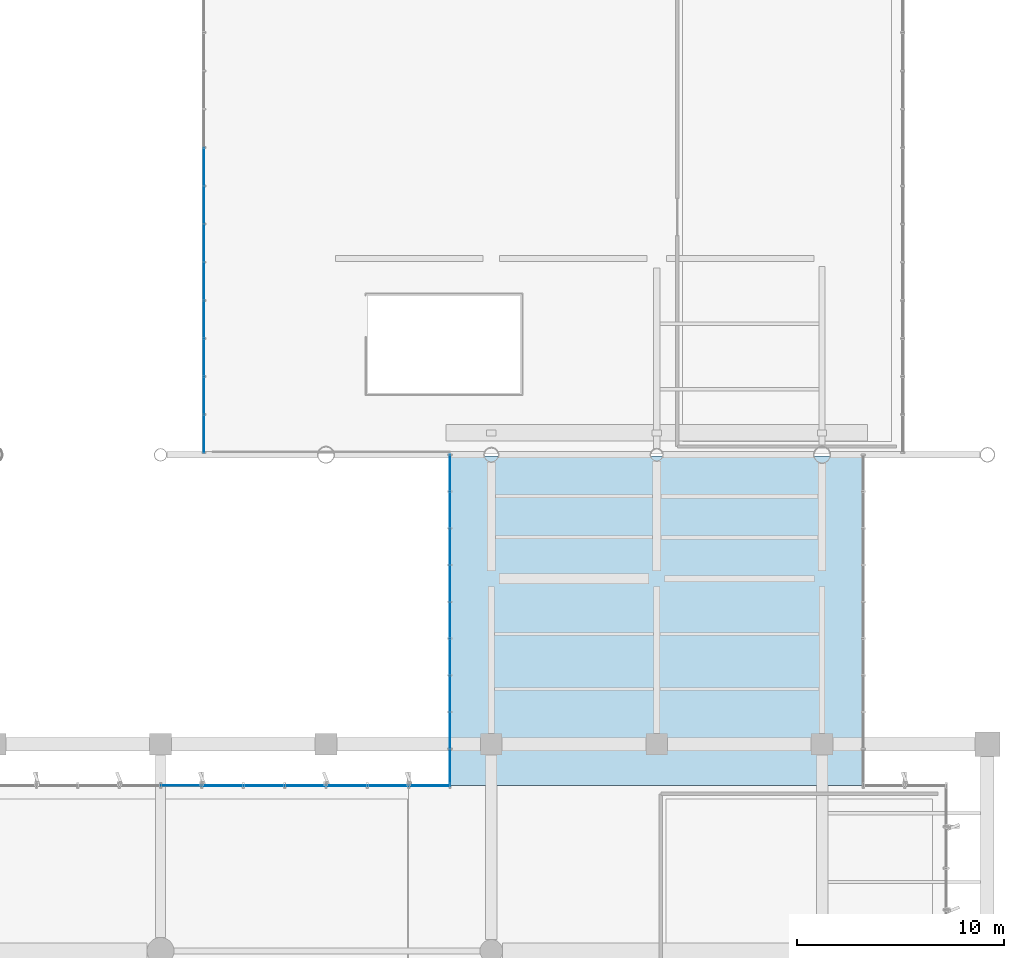
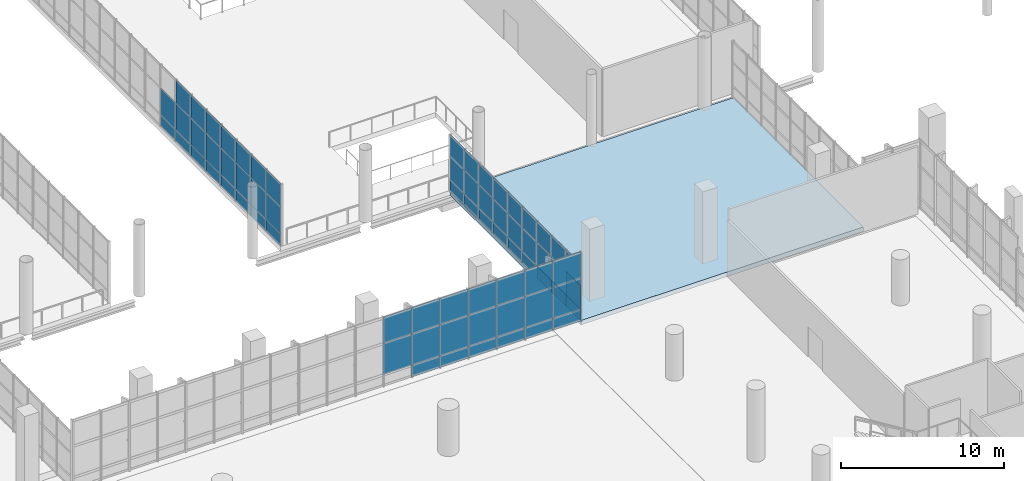
# One storey, part 126 of 176: 70 plates, 1 slab, 5 elements without a shape of their own.
"""IFC4 building model written with IfcOpenShell, lengths in metres."""

from ifc_helpers import new_model, si_unit, direction, frame, origin, origin_2d, place, context, subcontext, project, spatial, polyline, rectangle, outline, extrude, material, layer, layer_set, type_object, element, aggregate, save


model = new_model("IFC4")

# Units and contexts
model_context = context("Model", 3, precision=1e-05, world=origin(), true_north=direction((0.0, 1.0)))
body_context = subcontext(model_context, "Body", "Model", "MODEL_VIEW")
ifc_project = project(units=[si_unit("LENGTHUNIT", "METRE"), si_unit("AREAUNIT", "SQUARE_METRE"), si_unit("VOLUMEUNIT", "CUBIC_METRE"), si_unit("PLANEANGLEUNIT", "RADIAN"), si_unit("MASSUNIT", "GRAM", prefix="KILO")], contexts=[model_context])

# Site, building, storey
site_placement = place(None, origin())
site = spatial("IfcSite", under=ifc_project, at=site_placement, CompositionType="ELEMENT")
building_placement = place(site_placement, origin())
building = spatial("IfcBuilding", under=site, at=building_placement, Name="Khorjan Park Terminus", CompositionType="ELEMENT")
storey_placement = place(building_placement, frame((0.0, 0.0, 6.0)))
storey = spatial("IfcBuildingStorey", under=building, at=storey_placement, Name="L01", CompositionType="ELEMENT", Elevation=6.0)

# Curtain wall, plates
ifc_material_1 = material(Name="Anodized Bronze Aluminium", Category="aluminium")
ifc_layer_1 = layer(ifc_material_1, 0.22)
ifc_layer_set_1 = layer_set([ifc_layer_1], Name="Anodized Bronze Aluminium")
curtain_wall_type_1 = type_object("IfcCurtainWallType", Name="CW-BRG-D", PredefinedType="NOTDEFINED", material=ifc_layer_set_1)
curtain_wall_1_placement = place(storey_placement, origin())
curtain_wall_1 = element("IfcCurtainWall", 1, at=curtain_wall_1_placement, inside=storey, type_object=curtain_wall_type_1, Name="Unitized curtain wall CW-D (CW-NKE-W-L01)", PredefinedType="NOTDEFINED")
ifc_material_2 = material(Name="Low-E Solar Control Double Glazing", Category="glass")
ifc_layer_2 = layer(ifc_material_2, 0.032)
ifc_layer_set_2 = layer_set([ifc_layer_2], Name="Low-E Solar Control Double Glazing")
plate_type_1 = type_object("IfcPlateType", Name="GL-VIS-32", PredefinedType="CURTAIN_PANEL", material=ifc_layer_set_2)
plate_1_placement = place(storey_placement, frame((110.0, 101.1111, 0.85), z_axis=(0.0, 0.0, 1.0), x_axis=(0.0, -1.0, 0.0)))
plate_1 = element("IfcPlate", 2, at=plate_1_placement, type_object=plate_type_1, Name="Curtain-wall panel VP-32 (CW-NKE-W-L01-0-2)", PredefinedType="CURTAIN_PANEL", context=body_context, shape_type="SweptSolid", body=[
    extrude(rectangle(XDim=1.7778, YDim=0.032, at=origin_2d()), origin(), (0.0, 0.0, 1.0), 1.7695),
])
plate_2_placement = place(storey_placement, frame((110.0, 101.1111, 2.6196), z_axis=(0.0, 0.0, 1.0), x_axis=(0.0, -1.0, 0.0)))
plate_2 = element("IfcPlate", 3, at=plate_2_placement, type_object=plate_type_1, Name="Curtain-wall panel VP-32 (CW-NKE-W-L01-0-3)", PredefinedType="CURTAIN_PANEL", context=body_context, shape_type="SweptSolid", body=[
    extrude(rectangle(XDim=1.7778, YDim=0.032, at=origin_2d()), origin(), (0.0, 0.0, 1.0), 1.6155),
])
plate_3_placement = place(storey_placement, frame((110.0, 99.3333, 0.85), z_axis=(0.0, 0.0, 1.0), x_axis=(0.0, -1.0, 0.0)))
plate_3 = element("IfcPlate", 4, at=plate_3_placement, type_object=plate_type_1, Name="Curtain-wall panel VP-32 (CW-NKE-W-L01-1-2)", PredefinedType="CURTAIN_PANEL", context=body_context, shape_type="SweptSolid", body=[
    extrude(rectangle(XDim=1.7778, YDim=0.032, at=origin_2d()), origin(), (0.0, 0.0, 1.0), 1.7695),
])
plate_4_placement = place(storey_placement, frame((110.0, 99.3333, 2.6196), z_axis=(0.0, 0.0, 1.0), x_axis=(0.0, -1.0, 0.0)))
plate_4 = element("IfcPlate", 5, at=plate_4_placement, type_object=plate_type_1, Name="Curtain-wall panel VP-32 (CW-NKE-W-L01-1-3)", PredefinedType="CURTAIN_PANEL", context=body_context, shape_type="SweptSolid", body=[
    extrude(rectangle(XDim=1.7778, YDim=0.032, at=origin_2d()), origin(), (0.0, 0.0, 1.0), 1.6155),
])
plate_5_placement = place(storey_placement, frame((110.0, 97.5556, 0.85), z_axis=(0.0, 0.0, 1.0), x_axis=(0.0, -1.0, 0.0)))
plate_5 = element("IfcPlate", 6, at=plate_5_placement, type_object=plate_type_1, Name="Curtain-wall panel VP-32 (CW-NKE-W-L01-2-2)", PredefinedType="CURTAIN_PANEL", context=body_context, shape_type="SweptSolid", body=[
    extrude(rectangle(XDim=1.7778, YDim=0.032, at=origin_2d()), origin(), (0.0, 0.0, 1.0), 1.7695),
])
plate_6_placement = place(storey_placement, frame((110.0, 97.5556, 2.6196), z_axis=(0.0, 0.0, 1.0), x_axis=(0.0, -1.0, 0.0)))
plate_6 = element("IfcPlate", 7, at=plate_6_placement, type_object=plate_type_1, Name="Curtain-wall panel VP-32 (CW-NKE-W-L01-2-3)", PredefinedType="CURTAIN_PANEL", context=body_context, shape_type="SweptSolid", body=[
    extrude(rectangle(XDim=1.7778, YDim=0.032, at=origin_2d()), origin(), (0.0, 0.0, 1.0), 1.6155),
])
plate_7_placement = place(storey_placement, frame((110.0, 95.7778, 0.85), z_axis=(0.0, 0.0, 1.0), x_axis=(0.0, -1.0, 0.0)))
plate_7 = element("IfcPlate", 8, at=plate_7_placement, type_object=plate_type_1, Name="Curtain-wall panel VP-32 (CW-NKE-W-L01-3-2)", PredefinedType="CURTAIN_PANEL", context=body_context, shape_type="SweptSolid", body=[
    extrude(rectangle(XDim=1.7778, YDim=0.032, at=origin_2d()), origin(), (0.0, 0.0, 1.0), 1.7695),
])
plate_8_placement = place(storey_placement, frame((110.0, 95.7778, 2.6196), z_axis=(0.0, 0.0, 1.0), x_axis=(0.0, -1.0, 0.0)))
plate_8 = element("IfcPlate", 9, at=plate_8_placement, type_object=plate_type_1, Name="Curtain-wall panel VP-32 (CW-NKE-W-L01-3-3)", PredefinedType="CURTAIN_PANEL", context=body_context, shape_type="SweptSolid", body=[
    extrude(rectangle(XDim=1.7778, YDim=0.032, at=origin_2d()), origin(), (0.0, 0.0, 1.0), 1.6155),
])
plate_9_placement = place(storey_placement, frame((110.0, 94.0, 0.85), z_axis=(0.0, 0.0, 1.0), x_axis=(0.0, -1.0, 0.0)))
plate_9 = element("IfcPlate", 10, at=plate_9_placement, type_object=plate_type_1, Name="Curtain-wall panel VP-32 (CW-NKE-W-L01-4-2)", PredefinedType="CURTAIN_PANEL", context=body_context, shape_type="SweptSolid", body=[
    extrude(rectangle(XDim=1.7778, YDim=0.032, at=origin_2d()), origin(), (0.0, 0.0, 1.0), 1.7695),
])
plate_10_placement = place(storey_placement, frame((110.0, 94.0, 2.6196), z_axis=(0.0, 0.0, 1.0), x_axis=(0.0, -1.0, 0.0)))
plate_10 = element("IfcPlate", 11, at=plate_10_placement, type_object=plate_type_1, Name="Curtain-wall panel VP-32 (CW-NKE-W-L01-4-3)", PredefinedType="CURTAIN_PANEL", context=body_context, shape_type="SweptSolid", body=[
    extrude(rectangle(XDim=1.7778, YDim=0.032, at=origin_2d()), origin(), (0.0, 0.0, 1.0), 1.6155),
])
plate_11_placement = place(storey_placement, frame((110.0, 92.2222, 0.85), z_axis=(0.0, 0.0, 1.0), x_axis=(0.0, -1.0, 0.0)))
plate_11 = element("IfcPlate", 12, at=plate_11_placement, type_object=plate_type_1, Name="Curtain-wall panel VP-32 (CW-NKE-W-L01-5-2)", PredefinedType="CURTAIN_PANEL", context=body_context, shape_type="SweptSolid", body=[
    extrude(rectangle(XDim=1.7778, YDim=0.032, at=origin_2d()), origin(), (0.0, 0.0, 1.0), 1.7695),
])
plate_12_placement = place(storey_placement, frame((110.0, 92.2222, 2.6196), z_axis=(0.0, 0.0, 1.0), x_axis=(0.0, -1.0, 0.0)))
plate_12 = element("IfcPlate", 13, at=plate_12_placement, type_object=plate_type_1, Name="Curtain-wall panel VP-32 (CW-NKE-W-L01-5-3)", PredefinedType="CURTAIN_PANEL", context=body_context, shape_type="SweptSolid", body=[
    extrude(rectangle(XDim=1.7778, YDim=0.032, at=origin_2d()), origin(), (0.0, 0.0, 1.0), 1.6155),
])
plate_13_placement = place(storey_placement, frame((110.0, 90.4444, 0.85), z_axis=(0.0, 0.0, 1.0), x_axis=(0.0, -1.0, 0.0)))
plate_13 = element("IfcPlate", 14, at=plate_13_placement, type_object=plate_type_1, Name="Curtain-wall panel VP-32 (CW-NKE-W-L01-6-2)", PredefinedType="CURTAIN_PANEL", context=body_context, shape_type="SweptSolid", body=[
    extrude(rectangle(XDim=1.7778, YDim=0.032, at=origin_2d()), origin(), (0.0, 0.0, 1.0), 1.7695),
])
plate_14_placement = place(storey_placement, frame((110.0, 90.4444, 2.6196), z_axis=(0.0, 0.0, 1.0), x_axis=(0.0, -1.0, 0.0)))
plate_14 = element("IfcPlate", 15, at=plate_14_placement, type_object=plate_type_1, Name="Curtain-wall panel VP-32 (CW-NKE-W-L01-6-3)", PredefinedType="CURTAIN_PANEL", context=body_context, shape_type="SweptSolid", body=[
    extrude(rectangle(XDim=1.7778, YDim=0.032, at=origin_2d()), origin(), (0.0, 0.0, 1.0), 1.6155),
])
plate_15_placement = place(storey_placement, frame((110.0, 88.6667, 0.85), z_axis=(0.0, 0.0, 1.0), x_axis=(0.0, -1.0, 0.0)))
plate_15 = element("IfcPlate", 16, at=plate_15_placement, type_object=plate_type_1, Name="Curtain-wall panel VP-32 (CW-NKE-W-L01-7-2)", PredefinedType="CURTAIN_PANEL", context=body_context, shape_type="SweptSolid", body=[
    extrude(rectangle(XDim=1.7778, YDim=0.032, at=origin_2d()), origin(), (0.0, 0.0, 1.0), 1.7695),
])
plate_16_placement = place(storey_placement, frame((110.0, 88.6667, 2.6196), z_axis=(0.0, 0.0, 1.0), x_axis=(0.0, -1.0, 0.0)))
plate_16 = element("IfcPlate", 17, at=plate_16_placement, type_object=plate_type_1, Name="Curtain-wall panel VP-32 (CW-NKE-W-L01-7-3)", PredefinedType="CURTAIN_PANEL", context=body_context, shape_type="SweptSolid", body=[
    extrude(rectangle(XDim=1.7778, YDim=0.032, at=origin_2d()), origin(), (0.0, 0.0, 1.0), 1.6155),
])
plate_17_placement = place(storey_placement, frame((110.0, 86.8889, 0.85), z_axis=(0.0, 0.0, 1.0), x_axis=(0.0, -1.0, 0.0)))
plate_17 = element("IfcPlate", 18, at=plate_17_placement, type_object=plate_type_1, Name="Curtain-wall panel VP-32 (CW-NKE-W-L01-8-2)", PredefinedType="CURTAIN_PANEL", context=body_context, shape_type="SweptSolid", body=[
    extrude(rectangle(XDim=1.7778, YDim=0.032, at=origin_2d()), origin(), (0.0, 0.0, 1.0), 1.7695),
])
plate_18_placement = place(storey_placement, frame((110.0, 86.8889, 2.6196), z_axis=(0.0, 0.0, 1.0), x_axis=(0.0, -1.0, 0.0)))
plate_18 = element("IfcPlate", 19, at=plate_18_placement, type_object=plate_type_1, Name="Curtain-wall panel VP-32 (CW-NKE-W-L01-8-3)", PredefinedType="CURTAIN_PANEL", context=body_context, shape_type="SweptSolid", body=[
    extrude(rectangle(XDim=1.7778, YDim=0.032, at=origin_2d()), origin(), (0.0, 0.0, 1.0), 1.6155),
])

curtain_wall_2_placement = place(storey_placement, origin())
curtain_wall_2 = element("IfcCurtainWall", 20, at=curtain_wall_2_placement, inside=storey, type_object=curtain_wall_type_1, Name="Unitized curtain wall CW-D (CW-BRE-W-1)", PredefinedType="NOTDEFINED")
plate_19_placement = place(storey_placement, frame((98.1, 114.0786, 0.85), z_axis=(0.0, 0.0, 1.0), x_axis=(0.0, -1.0, 0.0)))
plate_19 = element("IfcPlate", 21, at=plate_19_placement, type_object=plate_type_1, Name="Curtain-wall panel VP-32 (CW-BRE-W-1-0-2)", PredefinedType="CURTAIN_PANEL", context=body_context, shape_type="SweptSolid", body=[
    extrude(rectangle(XDim=1.8429, YDim=0.032, at=origin_2d()), origin(), (0.0, 0.0, 1.0), 2.002),
])
plate_20_placement = place(storey_placement, frame((98.1, 114.0786, 2.852), z_axis=(0.0, 0.0, 1.0), x_axis=(0.0, -1.0, 0.0)))
plate_20 = element("IfcPlate", 22, at=plate_20_placement, type_object=plate_type_1, Name="Curtain-wall panel VP-32 (CW-BRE-W-1-0-3)", PredefinedType="CURTAIN_PANEL", context=body_context, shape_type="SweptSolid", body=[
    extrude(rectangle(XDim=1.8429, YDim=0.032, at=origin_2d()), origin(), (0.0, 0.0, 1.0), 1.758),
])
plate_21_placement = place(storey_placement, frame((98.1, 112.2357, 0.85), z_axis=(0.0, 0.0, 1.0), x_axis=(0.0, -1.0, 0.0)))
plate_21 = element("IfcPlate", 23, at=plate_21_placement, type_object=plate_type_1, Name="Curtain-wall panel VP-32 (CW-BRE-W-1-1-2)", PredefinedType="CURTAIN_PANEL", context=body_context, shape_type="SweptSolid", body=[
    extrude(rectangle(XDim=1.8429, YDim=0.032, at=origin_2d()), origin(), (0.0, 0.0, 1.0), 2.002),
])
plate_22_placement = place(storey_placement, frame((98.1, 112.2357, 2.852), z_axis=(0.0, 0.0, 1.0), x_axis=(0.0, -1.0, 0.0)))
plate_22 = element("IfcPlate", 24, at=plate_22_placement, type_object=plate_type_1, Name="Curtain-wall panel VP-32 (CW-BRE-W-1-1-3)", PredefinedType="CURTAIN_PANEL", context=body_context, shape_type="SweptSolid", body=[
    extrude(rectangle(XDim=1.8429, YDim=0.032, at=origin_2d()), origin(), (0.0, 0.0, 1.0), 1.758),
])
plate_23_placement = place(storey_placement, frame((98.1, 110.3929, 0.85), z_axis=(0.0, 0.0, 1.0), x_axis=(0.0, -1.0, 0.0)))
plate_23 = element("IfcPlate", 25, at=plate_23_placement, type_object=plate_type_1, Name="Curtain-wall panel VP-32 (CW-BRE-W-1-2-2)", PredefinedType="CURTAIN_PANEL", context=body_context, shape_type="SweptSolid", body=[
    extrude(rectangle(XDim=1.8429, YDim=0.032, at=origin_2d()), origin(), (0.0, 0.0, 1.0), 2.002),
])
plate_24_placement = place(storey_placement, frame((98.1, 110.3929, 2.852), z_axis=(0.0, 0.0, 1.0), x_axis=(0.0, -1.0, 0.0)))
plate_24 = element("IfcPlate", 26, at=plate_24_placement, type_object=plate_type_1, Name="Curtain-wall panel VP-32 (CW-BRE-W-1-2-3)", PredefinedType="CURTAIN_PANEL", context=body_context, shape_type="SweptSolid", body=[
    extrude(rectangle(XDim=1.8429, YDim=0.032, at=origin_2d()), origin(), (0.0, 0.0, 1.0), 1.758),
])
plate_25_placement = place(storey_placement, frame((98.1, 108.55, 0.85), z_axis=(0.0, 0.0, 1.0), x_axis=(0.0, -1.0, 0.0)))
plate_25 = element("IfcPlate", 27, at=plate_25_placement, type_object=plate_type_1, Name="Curtain-wall panel VP-32 (CW-BRE-W-1-3-2)", PredefinedType="CURTAIN_PANEL", context=body_context, shape_type="SweptSolid", body=[
    extrude(rectangle(XDim=1.8429, YDim=0.032, at=origin_2d()), origin(), (0.0, 0.0, 1.0), 2.002),
])
plate_26_placement = place(storey_placement, frame((98.1, 108.55, 2.852), z_axis=(0.0, 0.0, 1.0), x_axis=(0.0, -1.0, 0.0)))
plate_26 = element("IfcPlate", 28, at=plate_26_placement, type_object=plate_type_1, Name="Curtain-wall panel VP-32 (CW-BRE-W-1-3-3)", PredefinedType="CURTAIN_PANEL", context=body_context, shape_type="SweptSolid", body=[
    extrude(rectangle(XDim=1.8429, YDim=0.032, at=origin_2d()), origin(), (0.0, 0.0, 1.0), 1.758),
])
plate_27_placement = place(storey_placement, frame((98.1, 106.7072, 0.85), z_axis=(0.0, 0.0, 1.0), x_axis=(0.0, -1.0, 0.0)))
plate_27 = element("IfcPlate", 29, at=plate_27_placement, type_object=plate_type_1, Name="Curtain-wall panel VP-32 (CW-BRE-W-1-4-2)", PredefinedType="CURTAIN_PANEL", context=body_context, shape_type="SweptSolid", body=[
    extrude(rectangle(XDim=1.8429, YDim=0.032, at=origin_2d()), origin(), (0.0, 0.0, 1.0), 2.002),
])
plate_28_placement = place(storey_placement, frame((98.1, 106.7072, 2.852), z_axis=(0.0, 0.0, 1.0), x_axis=(0.0, -1.0, 0.0)))
plate_28 = element("IfcPlate", 30, at=plate_28_placement, type_object=plate_type_1, Name="Curtain-wall panel VP-32 (CW-BRE-W-1-4-3)", PredefinedType="CURTAIN_PANEL", context=body_context, shape_type="SweptSolid", body=[
    extrude(rectangle(XDim=1.8429, YDim=0.032, at=origin_2d()), origin(), (0.0, 0.0, 1.0), 1.758),
])
plate_29_placement = place(storey_placement, frame((98.1, 104.8643, 0.85), z_axis=(0.0, 0.0, 1.0), x_axis=(0.0, -1.0, 0.0)))
plate_29 = element("IfcPlate", 31, at=plate_29_placement, type_object=plate_type_1, Name="Curtain-wall panel VP-32 (CW-BRE-W-1-5-2)", PredefinedType="CURTAIN_PANEL", context=body_context, shape_type="SweptSolid", body=[
    extrude(rectangle(XDim=1.8429, YDim=0.032, at=origin_2d()), origin(), (0.0, 0.0, 1.0), 2.002),
])
plate_30_placement = place(storey_placement, frame((98.1, 104.8643, 2.852), z_axis=(0.0, 0.0, 1.0), x_axis=(0.0, -1.0, 0.0)))
plate_30 = element("IfcPlate", 32, at=plate_30_placement, type_object=plate_type_1, Name="Curtain-wall panel VP-32 (CW-BRE-W-1-5-3)", PredefinedType="CURTAIN_PANEL", context=body_context, shape_type="SweptSolid", body=[
    extrude(rectangle(XDim=1.8429, YDim=0.032, at=origin_2d()), origin(), (0.0, 0.0, 1.0), 1.758),
])
plate_31_placement = place(storey_placement, frame((98.1, 103.0214, 0.85), z_axis=(0.0, 0.0, 1.0), x_axis=(0.0, -1.0, 0.0)))
plate_31 = element("IfcPlate", 33, at=plate_31_placement, type_object=plate_type_1, Name="Curtain-wall panel VP-32 (CW-BRE-W-1-6-2)", PredefinedType="CURTAIN_PANEL", context=body_context, shape_type="SweptSolid", body=[
    extrude(rectangle(XDim=1.8429, YDim=0.032, at=origin_2d()), origin(), (0.0, 0.0, 1.0), 2.002),
])
plate_32_placement = place(storey_placement, frame((98.1, 103.0214, 2.852), z_axis=(0.0, 0.0, 1.0), x_axis=(0.0, -1.0, 0.0)))
plate_32 = element("IfcPlate", 34, at=plate_32_placement, type_object=plate_type_1, Name="Curtain-wall panel VP-32 (CW-BRE-W-1-6-3)", PredefinedType="CURTAIN_PANEL", context=body_context, shape_type="SweptSolid", body=[
    extrude(rectangle(XDim=1.8429, YDim=0.032, at=origin_2d()), origin(), (0.0, 0.0, 1.0), 1.758),
])

# Curtain wall, plate
curtain_wall_3_placement = place(storey_placement, origin())
curtain_wall_3 = element("IfcCurtainWall", 35, at=curtain_wall_3_placement, inside=storey, type_object=curtain_wall_type_1, Name="Unitized curtain wall CW-D (CW-BRE-W-2)", PredefinedType="NOTDEFINED")
plate_33_placement = place(storey_placement, frame((98.1, 115.9286, 0.85), z_axis=(0.0, 0.0, 1.0), x_axis=(0.0, -1.0, 0.0)))
plate_33 = element("IfcPlate", 36, at=plate_33_placement, type_object=plate_type_1, Name="Curtain-wall panel VP-32 (CW-BRE-W-2-6-2)", PredefinedType="CURTAIN_PANEL", context=body_context, shape_type="SweptSolid", body=[
    extrude(rectangle(XDim=1.8571, YDim=0.032, at=origin_2d()), origin(), (0.0, 0.0, 1.0), 2.002),
])

# Curtain wall, plates
ifc_layer_3 = layer(ifc_material_1, 0.22)
ifc_layer_set_3 = layer_set([ifc_layer_3], Name="Anodized Bronze Aluminium")
curtain_wall_type_2 = type_object("IfcCurtainWallType", Name="CW-CONC-A", PredefinedType="NOTDEFINED", material=ifc_layer_set_3)
curtain_wall_4_placement = place(storey_placement, origin())
curtain_wall_4 = element("IfcCurtainWall", 37, at=curtain_wall_4_placement, inside=storey, type_object=curtain_wall_type_2, Name="Unitized curtain wall CW-A (CW-V2-N-L01-05)", PredefinedType="NOTDEFINED")
ifc_material_3 = material(Name="Triple Low-E High-Selectivity Glazing", Category="glass")
ifc_layer_4 = layer(ifc_material_3, 0.04)
ifc_layer_set_4 = layer_set([ifc_layer_4], Name="Triple Low-E High-Selectivity Glazing")
plate_type_2 = type_object("IfcPlateType", Name="GL-VIS-40", PredefinedType="CURTAIN_PANEL", material=ifc_layer_set_4)
plate_34_placement = place(storey_placement, frame((99.0, 86.0, 0.85), z_axis=(0.0, 0.0, 1.0), x_axis=(-1.0, 0.0, 0.0)))
plate_34 = element("IfcPlate", 38, at=plate_34_placement, type_object=plate_type_2, Name="Curtain-wall panel VP-40 (CW-V2-N-L01-05-0-2)", PredefinedType="CURTAIN_PANEL", context=body_context, shape_type="SweptSolid", body=[
    extrude(rectangle(XDim=2.0, YDim=0.04, at=origin_2d()), origin(), (0.0, 0.0, 1.0), 2.343),
])
plate_35_placement = place(storey_placement, frame((99.0, 86.0, 3.193), z_axis=(0.0, 0.0, 1.0), x_axis=(-1.0, 0.0, 0.0)))
plate_35 = element("IfcPlate", 39, at=plate_35_placement, type_object=plate_type_2, Name="Curtain-wall panel VP-40 (CW-V2-N-L01-05-0-3)", PredefinedType="CURTAIN_PANEL", context=body_context, shape_type="SweptSolid", body=[
    extrude(rectangle(XDim=2.0, YDim=0.04, at=origin_2d()), origin(), (0.0, 0.0, 1.0), 1.967),
])
plate_36_placement = place(storey_placement, frame((97.0, 86.0, 0.85), z_axis=(0.0, 0.0, 1.0), x_axis=(-1.0, 0.0, 0.0)))
plate_36 = element("IfcPlate", 40, at=plate_36_placement, type_object=plate_type_2, Name="Curtain-wall panel VP-40 (CW-V2-N-L01-05-1-2)", PredefinedType="CURTAIN_PANEL", context=body_context, shape_type="SweptSolid", body=[
    extrude(rectangle(XDim=2.0, YDim=0.04, at=origin_2d()), origin(), (0.0, 0.0, 1.0), 2.343),
])
plate_37_placement = place(storey_placement, frame((97.0, 86.0, 3.193), z_axis=(0.0, 0.0, 1.0), x_axis=(-1.0, 0.0, 0.0)))
plate_37 = element("IfcPlate", 41, at=plate_37_placement, type_object=plate_type_2, Name="Curtain-wall panel VP-40 (CW-V2-N-L01-05-1-3)", PredefinedType="CURTAIN_PANEL", context=body_context, shape_type="SweptSolid", body=[
    extrude(rectangle(XDim=2.0, YDim=0.04, at=origin_2d()), origin(), (0.0, 0.0, 1.0), 1.967),
])

curtain_wall_5_placement = place(storey_placement, origin())
curtain_wall_5 = element("IfcCurtainWall", 42, at=curtain_wall_5_placement, inside=storey, type_object=curtain_wall_type_2, Name="Unitized curtain wall CW-A (CW-V2-N-L01-06)", PredefinedType="NOTDEFINED")
plate_38_placement = place(storey_placement, frame((109.0, 86.0, 0.85), z_axis=(0.0, 0.0, 1.0), x_axis=(-1.0, 0.0, 0.0)))
plate_38 = element("IfcPlate", 43, at=plate_38_placement, type_object=plate_type_2, Name="Curtain-wall panel VP-40 (CW-V2-N-L01-06-0-2)", PredefinedType="CURTAIN_PANEL", context=body_context, shape_type="SweptSolid", body=[
    extrude(rectangle(XDim=2.0, YDim=0.04, at=origin_2d()), origin(), (0.0, 0.0, 1.0), 2.343),
])
plate_39_placement = place(storey_placement, frame((109.0, 86.0, 3.193), z_axis=(0.0, 0.0, 1.0), x_axis=(-1.0, 0.0, 0.0)))
plate_39 = element("IfcPlate", 44, at=plate_39_placement, type_object=plate_type_2, Name="Curtain-wall panel VP-40 (CW-V2-N-L01-06-0-3)", PredefinedType="CURTAIN_PANEL", context=body_context, shape_type="SweptSolid", body=[
    extrude(rectangle(XDim=2.0, YDim=0.04, at=origin_2d()), origin(), (0.0, 0.0, 1.0), 1.967),
])
plate_40_placement = place(storey_placement, frame((107.0, 86.0, 0.85), z_axis=(0.0, 0.0, 1.0), x_axis=(-1.0, 0.0, 0.0)))
plate_40 = element("IfcPlate", 45, at=plate_40_placement, type_object=plate_type_2, Name="Curtain-wall panel VP-40 (CW-V2-N-L01-06-1-2)", PredefinedType="CURTAIN_PANEL", context=body_context, shape_type="SweptSolid", body=[
    extrude(rectangle(XDim=2.0, YDim=0.04, at=origin_2d()), origin(), (0.0, 0.0, 1.0), 2.343),
])
plate_41_placement = place(storey_placement, frame((107.0, 86.0, 3.193), z_axis=(0.0, 0.0, 1.0), x_axis=(-1.0, 0.0, 0.0)))
plate_41 = element("IfcPlate", 46, at=plate_41_placement, type_object=plate_type_2, Name="Curtain-wall panel VP-40 (CW-V2-N-L01-06-1-3)", PredefinedType="CURTAIN_PANEL", context=body_context, shape_type="SweptSolid", body=[
    extrude(rectangle(XDim=2.0, YDim=0.04, at=origin_2d()), origin(), (0.0, 0.0, 1.0), 1.967),
])
plate_42_placement = place(storey_placement, frame((105.0, 86.0, 0.85), z_axis=(0.0, 0.0, 1.0), x_axis=(-1.0, 0.0, 0.0)))
plate_42 = element("IfcPlate", 47, at=plate_42_placement, type_object=plate_type_2, Name="Curtain-wall panel VP-40 (CW-V2-N-L01-06-2-2)", PredefinedType="CURTAIN_PANEL", context=body_context, shape_type="SweptSolid", body=[
    extrude(rectangle(XDim=2.0, YDim=0.04, at=origin_2d()), origin(), (0.0, 0.0, 1.0), 2.343),
])
plate_43_placement = place(storey_placement, frame((105.0, 86.0, 3.193), z_axis=(0.0, 0.0, 1.0), x_axis=(-1.0, 0.0, 0.0)))
plate_43 = element("IfcPlate", 48, at=plate_43_placement, type_object=plate_type_2, Name="Curtain-wall panel VP-40 (CW-V2-N-L01-06-2-3)", PredefinedType="CURTAIN_PANEL", context=body_context, shape_type="SweptSolid", body=[
    extrude(rectangle(XDim=2.0, YDim=0.04, at=origin_2d()), origin(), (0.0, 0.0, 1.0), 1.967),
])
plate_44_placement = place(storey_placement, frame((103.0, 86.0, 0.85), z_axis=(0.0, 0.0, 1.0), x_axis=(-1.0, 0.0, 0.0)))
plate_44 = element("IfcPlate", 49, at=plate_44_placement, type_object=plate_type_2, Name="Curtain-wall panel VP-40 (CW-V2-N-L01-06-3-2)", PredefinedType="CURTAIN_PANEL", context=body_context, shape_type="SweptSolid", body=[
    extrude(rectangle(XDim=2.0, YDim=0.04, at=origin_2d()), origin(), (0.0, 0.0, 1.0), 2.343),
])
plate_45_placement = place(storey_placement, frame((103.0, 86.0, 3.193), z_axis=(0.0, 0.0, 1.0), x_axis=(-1.0, 0.0, 0.0)))
plate_45 = element("IfcPlate", 50, at=plate_45_placement, type_object=plate_type_2, Name="Curtain-wall panel VP-40 (CW-V2-N-L01-06-3-3)", PredefinedType="CURTAIN_PANEL", context=body_context, shape_type="SweptSolid", body=[
    extrude(rectangle(XDim=2.0, YDim=0.04, at=origin_2d()), origin(), (0.0, 0.0, 1.0), 1.967),
])
plate_46_placement = place(storey_placement, frame((101.0, 86.0, 0.85), z_axis=(0.0, 0.0, 1.0), x_axis=(-1.0, 0.0, 0.0)))
plate_46 = element("IfcPlate", 51, at=plate_46_placement, type_object=plate_type_2, Name="Curtain-wall panel VP-40 (CW-V2-N-L01-06-4-2)", PredefinedType="CURTAIN_PANEL", context=body_context, shape_type="SweptSolid", body=[
    extrude(rectangle(XDim=2.0, YDim=0.04, at=origin_2d()), origin(), (0.0, 0.0, 1.0), 2.343),
])
plate_47_placement = place(storey_placement, frame((101.0, 86.0, 3.193), z_axis=(0.0, 0.0, 1.0), x_axis=(-1.0, 0.0, 0.0)))
plate_47 = element("IfcPlate", 52, at=plate_47_placement, type_object=plate_type_2, Name="Curtain-wall panel VP-40 (CW-V2-N-L01-06-4-3)", PredefinedType="CURTAIN_PANEL", context=body_context, shape_type="SweptSolid", body=[
    extrude(rectangle(XDim=2.0, YDim=0.04, at=origin_2d()), origin(), (0.0, 0.0, 1.0), 1.967),
])

# Slab
ifc_material_4 = material(Name="Concrete C40/50", Category="concrete")
ifc_layer_5 = layer(ifc_material_4, 0.34)
ifc_layer_set_5 = layer_set([ifc_layer_5], Name="Concrete C40/50")
slab_type = type_object("IfcSlabType", Name="SL-FLR-340", PredefinedType="FLOOR", material=ifc_layer_set_5)
slab_placement = place(storey_placement, frame((0.0, 0.0, -0.34)))
element("IfcSlab", 53, at=slab_placement, inside=storey, type_object=slab_type, Name="Structural floor slab FS-34 (L01-NK-E)", PredefinedType="FLOOR", context=body_context, shape_type="SweptSolid", body=[
    extrude(outline(polyline([(110.0, 101.95), (130.0, 101.95), (130.0, 86.0), (110.0, 86.0), (110.0, 101.95)])), origin(), (0.0, 0.0, 1.0), 0.34),
])

# Plate
ifc_material_5 = material(Name="Insulated Anodized Bronze Spandrel Panel")
ifc_layer_6 = layer(ifc_material_5, 0.045)
ifc_layer_set_6 = layer_set([ifc_layer_6], Name="Insulated Anodized Bronze Spandrel Panel")
plate_type_3 = type_object("IfcPlateType", Name="SP-AL-45", PredefinedType="CURTAIN_PANEL", material=ifc_layer_set_6)
plate_48_placement = place(storey_placement, frame((99.0, 86.0, -0.01), z_axis=(0.0, 0.0, 1.0), x_axis=(-1.0, 0.0, 0.0)))
plate_48 = element("IfcPlate", 54, at=plate_48_placement, type_object=plate_type_3, Name="Curtain-wall panel SP-A45 (CW-V2-N-L01-05-0-1)", PredefinedType="CURTAIN_PANEL", context=body_context, shape_type="SweptSolid", body=[
    extrude(rectangle(XDim=2.0, YDim=0.045, at=origin_2d()), origin(), (0.0, 0.0, 1.0), 0.86),
])

aggregate(curtain_wall_4, [plate_48, plate_34, plate_35, plate_36, plate_37])

plate_49_placement = place(storey_placement, frame((109.0, 86.0, -0.01), z_axis=(0.0, 0.0, 1.0), x_axis=(-1.0, 0.0, 0.0)))
plate_49 = element("IfcPlate", 55, at=plate_49_placement, type_object=plate_type_3, Name="Curtain-wall panel SP-A45 (CW-V2-N-L01-06-0-1)", PredefinedType="CURTAIN_PANEL", context=body_context, shape_type="SweptSolid", body=[
    extrude(rectangle(XDim=2.0, YDim=0.045, at=origin_2d()), origin(), (0.0, 0.0, 1.0), 0.86),
])

plate_50_placement = place(storey_placement, frame((107.0, 86.0, -0.01), z_axis=(0.0, 0.0, 1.0), x_axis=(-1.0, 0.0, 0.0)))
plate_50 = element("IfcPlate", 56, at=plate_50_placement, type_object=plate_type_3, Name="Curtain-wall panel SP-A45 (CW-V2-N-L01-06-1-1)", PredefinedType="CURTAIN_PANEL", context=body_context, shape_type="SweptSolid", body=[
    extrude(rectangle(XDim=2.0, YDim=0.045, at=origin_2d()), origin(), (0.0, 0.0, 1.0), 0.86),
])

plate_51_placement = place(storey_placement, frame((105.0, 86.0, -0.01), z_axis=(0.0, 0.0, 1.0), x_axis=(-1.0, 0.0, 0.0)))
plate_51 = element("IfcPlate", 57, at=plate_51_placement, type_object=plate_type_3, Name="Curtain-wall panel SP-A45 (CW-V2-N-L01-06-2-1)", PredefinedType="CURTAIN_PANEL", context=body_context, shape_type="SweptSolid", body=[
    extrude(rectangle(XDim=2.0, YDim=0.045, at=origin_2d()), origin(), (0.0, 0.0, 1.0), 0.86),
])

plate_52_placement = place(storey_placement, frame((103.0, 86.0, -0.01), z_axis=(0.0, 0.0, 1.0), x_axis=(-1.0, 0.0, 0.0)))
plate_52 = element("IfcPlate", 58, at=plate_52_placement, type_object=plate_type_3, Name="Curtain-wall panel SP-A45 (CW-V2-N-L01-06-3-1)", PredefinedType="CURTAIN_PANEL", context=body_context, shape_type="SweptSolid", body=[
    extrude(rectangle(XDim=2.0, YDim=0.045, at=origin_2d()), origin(), (0.0, 0.0, 1.0), 0.86),
])

plate_53_placement = place(storey_placement, frame((101.0, 86.0, -0.01), z_axis=(0.0, 0.0, 1.0), x_axis=(-1.0, 0.0, 0.0)))
plate_53 = element("IfcPlate", 59, at=plate_53_placement, type_object=plate_type_3, Name="Curtain-wall panel SP-A45 (CW-V2-N-L01-06-4-1)", PredefinedType="CURTAIN_PANEL", context=body_context, shape_type="SweptSolid", body=[
    extrude(rectangle(XDim=2.0, YDim=0.045, at=origin_2d()), origin(), (0.0, 0.0, 1.0), 0.86),
])

aggregate(curtain_wall_5, [plate_49, plate_38, plate_39, plate_50, plate_40, plate_41, plate_51, plate_42, plate_43, plate_52, plate_44, plate_45, plate_53, plate_46, plate_47])

plate_54_placement = place(storey_placement, frame((110.0, 101.1111, -0.01), z_axis=(0.0, 0.0, 1.0), x_axis=(0.0, -1.0, 0.0)))
plate_54 = element("IfcPlate", 60, at=plate_54_placement, type_object=plate_type_3, Name="Curtain-wall panel SP-A45 (CW-NKE-W-L01-0-1)", PredefinedType="CURTAIN_PANEL", context=body_context, shape_type="SweptSolid", body=[
    extrude(rectangle(XDim=1.7778, YDim=0.045, at=origin_2d()), origin(), (0.0, 0.0, 1.0), 0.86),
])

plate_55_placement = place(storey_placement, frame((110.0, 99.3333, -0.01), z_axis=(0.0, 0.0, 1.0), x_axis=(0.0, -1.0, 0.0)))
plate_55 = element("IfcPlate", 61, at=plate_55_placement, type_object=plate_type_3, Name="Curtain-wall panel SP-A45 (CW-NKE-W-L01-1-1)", PredefinedType="CURTAIN_PANEL", context=body_context, shape_type="SweptSolid", body=[
    extrude(rectangle(XDim=1.7778, YDim=0.045, at=origin_2d()), origin(), (0.0, 0.0, 1.0), 0.86),
])

plate_56_placement = place(storey_placement, frame((110.0, 97.5556, -0.01), z_axis=(0.0, 0.0, 1.0), x_axis=(0.0, -1.0, 0.0)))
plate_56 = element("IfcPlate", 62, at=plate_56_placement, type_object=plate_type_3, Name="Curtain-wall panel SP-A45 (CW-NKE-W-L01-2-1)", PredefinedType="CURTAIN_PANEL", context=body_context, shape_type="SweptSolid", body=[
    extrude(rectangle(XDim=1.7778, YDim=0.045, at=origin_2d()), origin(), (0.0, 0.0, 1.0), 0.86),
])

plate_57_placement = place(storey_placement, frame((110.0, 95.7778, -0.01), z_axis=(0.0, 0.0, 1.0), x_axis=(0.0, -1.0, 0.0)))
plate_57 = element("IfcPlate", 63, at=plate_57_placement, type_object=plate_type_3, Name="Curtain-wall panel SP-A45 (CW-NKE-W-L01-3-1)", PredefinedType="CURTAIN_PANEL", context=body_context, shape_type="SweptSolid", body=[
    extrude(rectangle(XDim=1.7778, YDim=0.045, at=origin_2d()), origin(), (0.0, 0.0, 1.0), 0.86),
])

plate_58_placement = place(storey_placement, frame((110.0, 94.0, -0.01), z_axis=(0.0, 0.0, 1.0), x_axis=(0.0, -1.0, 0.0)))
plate_58 = element("IfcPlate", 64, at=plate_58_placement, type_object=plate_type_3, Name="Curtain-wall panel SP-A45 (CW-NKE-W-L01-4-1)", PredefinedType="CURTAIN_PANEL", context=body_context, shape_type="SweptSolid", body=[
    extrude(rectangle(XDim=1.7778, YDim=0.045, at=origin_2d()), origin(), (0.0, 0.0, 1.0), 0.86),
])

plate_59_placement = place(storey_placement, frame((110.0, 92.2222, -0.01), z_axis=(0.0, 0.0, 1.0), x_axis=(0.0, -1.0, 0.0)))
plate_59 = element("IfcPlate", 65, at=plate_59_placement, type_object=plate_type_3, Name="Curtain-wall panel SP-A45 (CW-NKE-W-L01-5-1)", PredefinedType="CURTAIN_PANEL", context=body_context, shape_type="SweptSolid", body=[
    extrude(rectangle(XDim=1.7778, YDim=0.045, at=origin_2d()), origin(), (0.0, 0.0, 1.0), 0.86),
])

plate_60_placement = place(storey_placement, frame((110.0, 90.4444, -0.01), z_axis=(0.0, 0.0, 1.0), x_axis=(0.0, -1.0, 0.0)))
plate_60 = element("IfcPlate", 66, at=plate_60_placement, type_object=plate_type_3, Name="Curtain-wall panel SP-A45 (CW-NKE-W-L01-6-1)", PredefinedType="CURTAIN_PANEL", context=body_context, shape_type="SweptSolid", body=[
    extrude(rectangle(XDim=1.7778, YDim=0.045, at=origin_2d()), origin(), (0.0, 0.0, 1.0), 0.86),
])

plate_61_placement = place(storey_placement, frame((110.0, 88.6667, -0.01), z_axis=(0.0, 0.0, 1.0), x_axis=(0.0, -1.0, 0.0)))
plate_61 = element("IfcPlate", 67, at=plate_61_placement, type_object=plate_type_3, Name="Curtain-wall panel SP-A45 (CW-NKE-W-L01-7-1)", PredefinedType="CURTAIN_PANEL", context=body_context, shape_type="SweptSolid", body=[
    extrude(rectangle(XDim=1.7778, YDim=0.045, at=origin_2d()), origin(), (0.0, 0.0, 1.0), 0.86),
])

plate_62_placement = place(storey_placement, frame((110.0, 86.8889, -0.01), z_axis=(0.0, 0.0, 1.0), x_axis=(0.0, -1.0, 0.0)))
plate_62 = element("IfcPlate", 68, at=plate_62_placement, type_object=plate_type_3, Name="Curtain-wall panel SP-A45 (CW-NKE-W-L01-8-1)", PredefinedType="CURTAIN_PANEL", context=body_context, shape_type="SweptSolid", body=[
    extrude(rectangle(XDim=1.7778, YDim=0.045, at=origin_2d()), origin(), (0.0, 0.0, 1.0), 0.86),
])

aggregate(curtain_wall_1, [plate_54, plate_1, plate_2, plate_55, plate_3, plate_4, plate_56, plate_5, plate_6, plate_57, plate_7, plate_8, plate_58, plate_9, plate_10, plate_59, plate_11, plate_12, plate_60, plate_13, plate_14, plate_61, plate_15, plate_16, plate_62, plate_17, plate_18])

plate_63_placement = place(storey_placement, frame((98.1, 114.0786, -0.01), z_axis=(0.0, 0.0, 1.0), x_axis=(0.0, -1.0, 0.0)))
plate_63 = element("IfcPlate", 69, at=plate_63_placement, type_object=plate_type_3, Name="Curtain-wall panel SP-A45 (CW-BRE-W-1-0-1)", PredefinedType="CURTAIN_PANEL", context=body_context, shape_type="SweptSolid", body=[
    extrude(rectangle(XDim=1.8429, YDim=0.045, at=origin_2d()), origin(), (0.0, 0.0, 1.0), 0.86),
])

plate_64_placement = place(storey_placement, frame((98.1, 112.2357, -0.01), z_axis=(0.0, 0.0, 1.0), x_axis=(0.0, -1.0, 0.0)))
plate_64 = element("IfcPlate", 70, at=plate_64_placement, type_object=plate_type_3, Name="Curtain-wall panel SP-A45 (CW-BRE-W-1-1-1)", PredefinedType="CURTAIN_PANEL", context=body_context, shape_type="SweptSolid", body=[
    extrude(rectangle(XDim=1.8429, YDim=0.045, at=origin_2d()), origin(), (0.0, 0.0, 1.0), 0.86),
])

plate_65_placement = place(storey_placement, frame((98.1, 110.3929, -0.01), z_axis=(0.0, 0.0, 1.0), x_axis=(0.0, -1.0, 0.0)))
plate_65 = element("IfcPlate", 71, at=plate_65_placement, type_object=plate_type_3, Name="Curtain-wall panel SP-A45 (CW-BRE-W-1-2-1)", PredefinedType="CURTAIN_PANEL", context=body_context, shape_type="SweptSolid", body=[
    extrude(rectangle(XDim=1.8429, YDim=0.045, at=origin_2d()), origin(), (0.0, 0.0, 1.0), 0.86),
])

plate_66_placement = place(storey_placement, frame((98.1, 108.55, -0.01), z_axis=(0.0, 0.0, 1.0), x_axis=(0.0, -1.0, 0.0)))
plate_66 = element("IfcPlate", 72, at=plate_66_placement, type_object=plate_type_3, Name="Curtain-wall panel SP-A45 (CW-BRE-W-1-3-1)", PredefinedType="CURTAIN_PANEL", context=body_context, shape_type="SweptSolid", body=[
    extrude(rectangle(XDim=1.8429, YDim=0.045, at=origin_2d()), origin(), (0.0, 0.0, 1.0), 0.86),
])

plate_67_placement = place(storey_placement, frame((98.1, 106.7072, -0.01), z_axis=(0.0, 0.0, 1.0), x_axis=(0.0, -1.0, 0.0)))
plate_67 = element("IfcPlate", 73, at=plate_67_placement, type_object=plate_type_3, Name="Curtain-wall panel SP-A45 (CW-BRE-W-1-4-1)", PredefinedType="CURTAIN_PANEL", context=body_context, shape_type="SweptSolid", body=[
    extrude(rectangle(XDim=1.8429, YDim=0.045, at=origin_2d()), origin(), (0.0, 0.0, 1.0), 0.86),
])

plate_68_placement = place(storey_placement, frame((98.1, 104.8643, -0.01), z_axis=(0.0, 0.0, 1.0), x_axis=(0.0, -1.0, 0.0)))
plate_68 = element("IfcPlate", 74, at=plate_68_placement, type_object=plate_type_3, Name="Curtain-wall panel SP-A45 (CW-BRE-W-1-5-1)", PredefinedType="CURTAIN_PANEL", context=body_context, shape_type="SweptSolid", body=[
    extrude(rectangle(XDim=1.8429, YDim=0.045, at=origin_2d()), origin(), (0.0, 0.0, 1.0), 0.86),
])

plate_69_placement = place(storey_placement, frame((98.1, 103.0214, -0.01), z_axis=(0.0, 0.0, 1.0), x_axis=(0.0, -1.0, 0.0)))
plate_69 = element("IfcPlate", 75, at=plate_69_placement, type_object=plate_type_3, Name="Curtain-wall panel SP-A45 (CW-BRE-W-1-6-1)", PredefinedType="CURTAIN_PANEL", context=body_context, shape_type="SweptSolid", body=[
    extrude(rectangle(XDim=1.8429, YDim=0.045, at=origin_2d()), origin(), (0.0, 0.0, 1.0), 0.86),
])

aggregate(curtain_wall_2, [plate_63, plate_19, plate_20, plate_64, plate_21, plate_22, plate_65, plate_23, plate_24, plate_66, plate_25, plate_26, plate_67, plate_27, plate_28, plate_68, plate_29, plate_30, plate_69, plate_31, plate_32])

plate_70_placement = place(storey_placement, frame((98.1, 115.9286, -0.01), z_axis=(0.0, 0.0, 1.0), x_axis=(0.0, -1.0, 0.0)))
plate_70 = element("IfcPlate", 76, at=plate_70_placement, type_object=plate_type_3, Name="Curtain-wall panel SP-A45 (CW-BRE-W-2-6-1)", PredefinedType="CURTAIN_PANEL", context=body_context, shape_type="SweptSolid", body=[
    extrude(rectangle(XDim=1.8571, YDim=0.045, at=origin_2d()), origin(), (0.0, 0.0, 1.0), 0.86),
])

aggregate(curtain_wall_3, [plate_70, plate_33])

save(model, "model.ifc")
